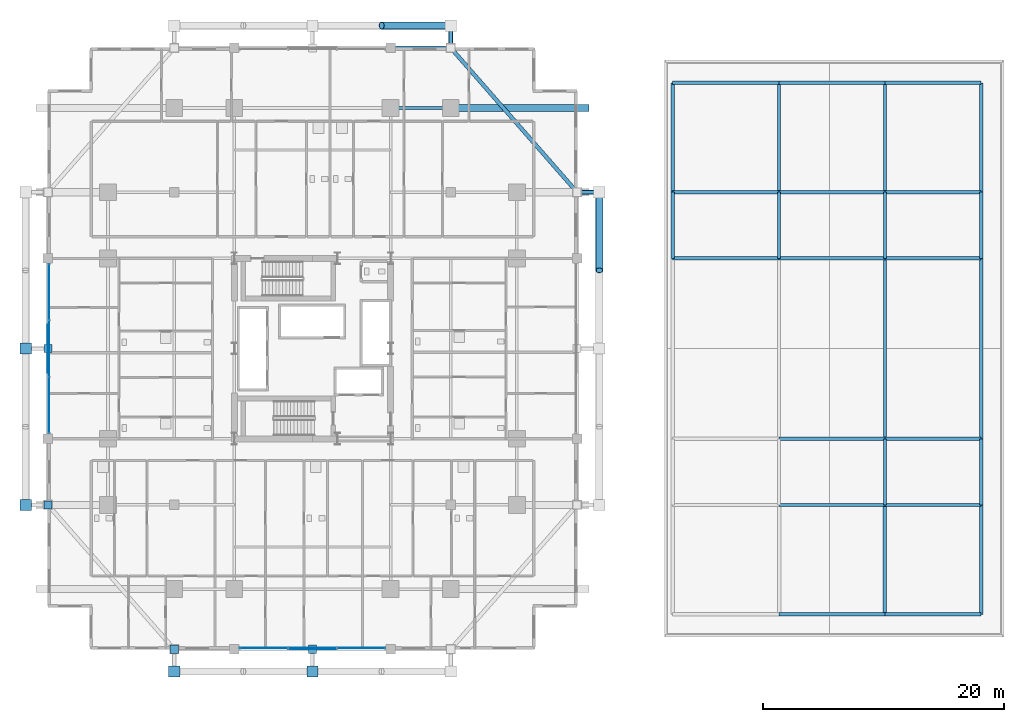
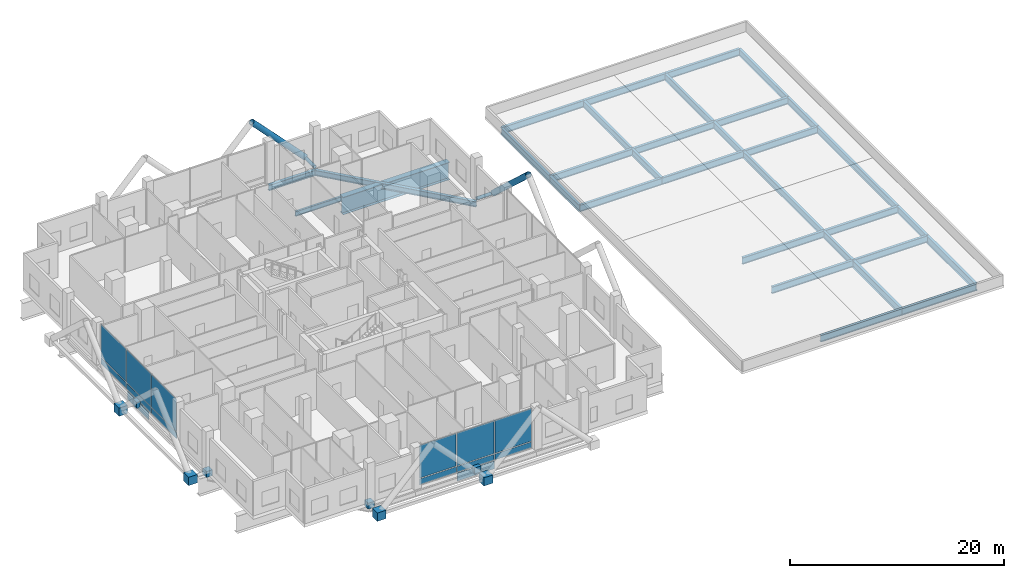
# One storey, part 21 of 33: 33 beams, 22 plates, 4 members, 2 elements without a shape of their own.
"""IFC4 building model written with IfcOpenShell, lengths in metres."""

from ifc_helpers import new_model, si_unit, direction, frame, origin, origin_2d, place, context, subcontext, project, spatial, rectangle, hollow_circle, i_section, extrude, material, layer, layer_set, material_profile, profile_set, type_object, element, aggregate, save


model = new_model("IFC4")

# Units and contexts
model_context = context("Model", 3, precision=1e-05, world=origin(), true_north=direction((0.0, 1.0)))
body_context = subcontext(model_context, "Body", "Model", "MODEL_VIEW")
ifc_project = project(units=[si_unit("LENGTHUNIT", "METRE"), si_unit("AREAUNIT", "SQUARE_METRE"), si_unit("VOLUMEUNIT", "CUBIC_METRE"), si_unit("PLANEANGLEUNIT", "RADIAN"), si_unit("MASSUNIT", "GRAM", prefix="KILO")], contexts=[model_context])

# Site, building, storey
site_placement = place(None, origin())
site = spatial("IfcSite", under=ifc_project, at=site_placement, CompositionType="ELEMENT")
building_placement = place(site_placement, origin())
building = spatial("IfcBuilding", under=site, at=building_placement, Name="Barlavira Tower and Art Museum", CompositionType="ELEMENT")
storey_placement = place(building_placement, frame((0.0, 0.0, 27.60009765625)))
storey = spatial("IfcBuildingStorey", under=building, at=storey_placement, Name="L05", CompositionType="ELEMENT", Elevation=27.60009765625)

# Beams
ifc_material_1 = material(Name="Steel S355", Category="steel")
ifc_material_profile_1 = material_profile(ifc_material_1, i_section(OverallWidth=0.2939453125, OverallDepth=0.85107421875, WebThickness=0.017333984375, FlangeThickness=0.0283203125, at=origin_2d()), Name="W840x251.0")
ifc_profile_set_1 = profile_set([ifc_material_profile_1], Name="Steel S355")
beam_type_1 = type_object("IfcBeamType", Name="Museum Auditorium Heavy Girder W840x251 Steel S355", PredefinedType="BEAM", material=ifc_profile_set_1)
for number, where, z_axis, x_axis, name in (
    (1, (47.60009765625, -22.10009765625, -0.695556640625), (0.0, 1.0, 0.0), (-1.0, 0.0, 0.0), "L05 Museum Girder Y 3-1"),
    (2, (55.60009765625, -22.10009765625, -0.695556640625), (0.0, 1.0, 0.0), (-1.0, 0.0, 0.0), "L05 Museum Girder Y 4-1"),
):
    element("IfcBeam", number, at=place(storey_placement, frame(where, z_axis=z_axis, x_axis=x_axis)), inside=storey, type_object=beam_type_1, Name=name, PredefinedType="BEAM", context=body_context, shape_type="SweptSolid", body=[
        extrude(i_section(OverallWidth=0.2939453125, OverallDepth=0.85107421875, WebThickness=0.017333984375, FlangeThickness=0.0283203125, at=origin_2d()), origin(), (0.0, 0.0, 1.0), 9.10009765625),
    ])
ifc_material_profile_2 = material_profile(ifc_material_1, i_section(OverallWidth=0.26904296875, OverallDepth=0.76806640625, WebThickness=0.016845703125, FlangeThickness=0.026611328125, at=origin_2d()), Name="W760x220.0")
ifc_profile_set_2 = profile_set([ifc_material_profile_2], Name="Steel S355")
beam_type_2 = type_object("IfcBeamType", Name="Museum Long-Span Gallery Girder W760x220 Steel S355", PredefinedType="BEAM", material=ifc_profile_set_2)
beam_1_placement = place(storey_placement, frame((29.949951171875, 7.5, -0.654052734375), z_axis=(0.0, 1.0, 0.0), x_axis=(-1.0, 0.0, 0.0)))
element("IfcBeam", 3, at=beam_1_placement, inside=storey, type_object=beam_type_2, Name="L05 Museum Girder Y 1-4", PredefinedType="BEAM", context=body_context, shape_type="SweptSolid", body=[
    extrude(i_section(OverallWidth=0.26904296875, OverallDepth=0.76806640625, WebThickness=0.016845703125, FlangeThickness=0.026611328125, at=origin_2d()), origin(), (0.0, 0.0, 1.0), 5.5),
])
beam_2_placement = place(storey_placement, frame((29.949951171875, 13.0, -0.654052734375), z_axis=(0.0, 1.0, 0.0), x_axis=(-1.0, 0.0, 0.0)))
element("IfcBeam", 4, at=beam_2_placement, inside=storey, type_object=beam_type_2, Name="L05 Museum Girder Y 1-5", PredefinedType="BEAM", context=body_context, shape_type="SweptSolid", body=[
    extrude(i_section(OverallWidth=0.26904296875, OverallDepth=0.76806640625, WebThickness=0.016845703125, FlangeThickness=0.026611328125, at=origin_2d()), origin(), (0.0, 0.0, 1.0), 9.10009765625),
])
beam_3_placement = place(storey_placement, frame((38.800048828125, 7.5, -0.654052734375), z_axis=(0.0, 1.0, 0.0), x_axis=(-1.0, 0.0, 0.0)))
element("IfcBeam", 5, at=beam_3_placement, inside=storey, type_object=beam_type_2, Name="L05 Museum Girder Y 2-4", PredefinedType="BEAM", context=body_context, shape_type="SweptSolid", body=[
    extrude(i_section(OverallWidth=0.26904296875, OverallDepth=0.76806640625, WebThickness=0.016845703125, FlangeThickness=0.026611328125, at=origin_2d()), origin(), (0.0, 0.0, 1.0), 5.5),
])
beam_4_placement = place(storey_placement, frame((38.800048828125, 13.0, -0.654052734375), z_axis=(0.0, 1.0, 0.0), x_axis=(-1.0, 0.0, 0.0)))
element("IfcBeam", 6, at=beam_4_placement, inside=storey, type_object=beam_type_2, Name="L05 Museum Girder Y 2-5", PredefinedType="BEAM", context=body_context, shape_type="SweptSolid", body=[
    extrude(i_section(OverallWidth=0.26904296875, OverallDepth=0.76806640625, WebThickness=0.016845703125, FlangeThickness=0.026611328125, at=origin_2d()), origin(), (0.0, 0.0, 1.0), 9.10009765625),
])
beam_5_placement = place(storey_placement, frame((47.60009765625, -13.0, -0.654052734375), z_axis=(0.0, 1.0, 0.0), x_axis=(-1.0, 0.0, 0.0)))
element("IfcBeam", 7, at=beam_5_placement, inside=storey, type_object=beam_type_2, Name="L05 Museum Girder Y 3-2", PredefinedType="BEAM", context=body_context, shape_type="SweptSolid", body=[
    extrude(i_section(OverallWidth=0.26904296875, OverallDepth=0.76806640625, WebThickness=0.016845703125, FlangeThickness=0.026611328125, at=origin_2d()), origin(), (0.0, 0.0, 1.0), 5.5),
])
beam_6_placement = place(storey_placement, frame((47.60009765625, -7.5, -0.654052734375), z_axis=(0.0, 1.0, 0.0), x_axis=(-1.0, 0.0, 0.0)))
element("IfcBeam", 8, at=beam_6_placement, inside=storey, type_object=beam_type_2, Name="L05 Museum Girder Y 3-3", PredefinedType="BEAM", context=body_context, shape_type="SweptSolid", body=[
    extrude(i_section(OverallWidth=0.26904296875, OverallDepth=0.76806640625, WebThickness=0.016845703125, FlangeThickness=0.026611328125, at=origin_2d()), origin(), (0.0, 0.0, 1.0), 15.0),
])
beam_7_placement = place(storey_placement, frame((47.60009765625, 7.5, -0.654052734375), z_axis=(0.0, 1.0, 0.0), x_axis=(-1.0, 0.0, 0.0)))
element("IfcBeam", 9, at=beam_7_placement, inside=storey, type_object=beam_type_2, Name="L05 Museum Girder Y 3-4", PredefinedType="BEAM", context=body_context, shape_type="SweptSolid", body=[
    extrude(i_section(OverallWidth=0.26904296875, OverallDepth=0.76806640625, WebThickness=0.016845703125, FlangeThickness=0.026611328125, at=origin_2d()), origin(), (0.0, 0.0, 1.0), 5.5),
])
beam_8_placement = place(storey_placement, frame((47.60009765625, 13.0, -0.654052734375), z_axis=(0.0, 1.0, 0.0), x_axis=(-1.0, 0.0, 0.0)))
element("IfcBeam", 10, at=beam_8_placement, inside=storey, type_object=beam_type_2, Name="L05 Museum Girder Y 3-5", PredefinedType="BEAM", context=body_context, shape_type="SweptSolid", body=[
    extrude(i_section(OverallWidth=0.26904296875, OverallDepth=0.76806640625, WebThickness=0.016845703125, FlangeThickness=0.026611328125, at=origin_2d()), origin(), (0.0, 0.0, 1.0), 9.10009765625),
])
beam_9_placement = place(storey_placement, frame((55.60009765625, -13.0, -0.654052734375), z_axis=(0.0, 1.0, 0.0), x_axis=(-1.0, 0.0, 0.0)))
element("IfcBeam", 11, at=beam_9_placement, inside=storey, type_object=beam_type_2, Name="L05 Museum Girder Y 4-2", PredefinedType="BEAM", context=body_context, shape_type="SweptSolid", body=[
    extrude(i_section(OverallWidth=0.26904296875, OverallDepth=0.76806640625, WebThickness=0.016845703125, FlangeThickness=0.026611328125, at=origin_2d()), origin(), (0.0, 0.0, 1.0), 5.5),
])
beam_10_placement = place(storey_placement, frame((55.60009765625, -7.5, -0.654052734375), z_axis=(0.0, 1.0, 0.0), x_axis=(-1.0, 0.0, 0.0)))
element("IfcBeam", 12, at=beam_10_placement, inside=storey, type_object=beam_type_2, Name="L05 Museum Girder Y 4-3", PredefinedType="BEAM", context=body_context, shape_type="SweptSolid", body=[
    extrude(i_section(OverallWidth=0.26904296875, OverallDepth=0.76806640625, WebThickness=0.016845703125, FlangeThickness=0.026611328125, at=origin_2d()), origin(), (0.0, 0.0, 1.0), 15.0),
])
beam_11_placement = place(storey_placement, frame((55.60009765625, 7.5, -0.654052734375), z_axis=(0.0, 1.0, 0.0), x_axis=(-1.0, 0.0, 0.0)))
element("IfcBeam", 13, at=beam_11_placement, inside=storey, type_object=beam_type_2, Name="L05 Museum Girder Y 4-4", PredefinedType="BEAM", context=body_context, shape_type="SweptSolid", body=[
    extrude(i_section(OverallWidth=0.26904296875, OverallDepth=0.76806640625, WebThickness=0.016845703125, FlangeThickness=0.026611328125, at=origin_2d()), origin(), (0.0, 0.0, 1.0), 5.5),
])
beam_12_placement = place(storey_placement, frame((55.60009765625, 13.0, -0.654052734375), z_axis=(0.0, 1.0, 0.0), x_axis=(-1.0, 0.0, 0.0)))
element("IfcBeam", 14, at=beam_12_placement, inside=storey, type_object=beam_type_2, Name="L05 Museum Girder Y 4-5", PredefinedType="BEAM", context=body_context, shape_type="SweptSolid", body=[
    extrude(i_section(OverallWidth=0.26904296875, OverallDepth=0.76806640625, WebThickness=0.016845703125, FlangeThickness=0.026611328125, at=origin_2d()), origin(), (0.0, 0.0, 1.0), 9.10009765625),
])
beam_13_placement = place(storey_placement, frame((38.800048828125, -22.10009765625, -0.654052734375), z_axis=(1.0, 0.0, 0.0), x_axis=(0.0, 1.0, 0.0)))
element("IfcBeam", 15, at=beam_13_placement, inside=storey, type_object=beam_type_2, Name="L05 Museum Girder X 1-2", PredefinedType="BEAM", context=body_context, shape_type="SweptSolid", body=[
    extrude(i_section(OverallWidth=0.26904296875, OverallDepth=0.76806640625, WebThickness=0.016845703125, FlangeThickness=0.026611328125, at=origin_2d()), origin(), (0.0, 0.0, 1.0), 8.800048828125),
])
beam_14_placement = place(storey_placement, frame((47.60009765625, -22.10009765625, -0.654052734375), z_axis=(1.0, 0.0, 0.0), x_axis=(0.0, 1.0, 0.0)))
element("IfcBeam", 16, at=beam_14_placement, inside=storey, type_object=beam_type_2, Name="L05 Museum Girder X 1-3", PredefinedType="BEAM", context=body_context, shape_type="SweptSolid", body=[
    extrude(i_section(OverallWidth=0.26904296875, OverallDepth=0.76806640625, WebThickness=0.016845703125, FlangeThickness=0.026611328125, at=origin_2d()), origin(), (0.0, 0.0, 1.0), 8.0),
])
beam_15_placement = place(storey_placement, frame((38.800048828125, -13.0, -0.654052734375), z_axis=(1.0, 0.0, 0.0), x_axis=(0.0, 1.0, 0.0)))
element("IfcBeam", 17, at=beam_15_placement, inside=storey, type_object=beam_type_2, Name="L05 Museum Girder X 2-2", PredefinedType="BEAM", context=body_context, shape_type="SweptSolid", body=[
    extrude(i_section(OverallWidth=0.26904296875, OverallDepth=0.76806640625, WebThickness=0.016845703125, FlangeThickness=0.026611328125, at=origin_2d()), origin(), (0.0, 0.0, 1.0), 8.800048828125),
])
beam_16_placement = place(storey_placement, frame((47.60009765625, -13.0, -0.654052734375), z_axis=(1.0, 0.0, 0.0), x_axis=(0.0, 1.0, 0.0)))
element("IfcBeam", 18, at=beam_16_placement, inside=storey, type_object=beam_type_2, Name="L05 Museum Girder X 2-3", PredefinedType="BEAM", context=body_context, shape_type="SweptSolid", body=[
    extrude(i_section(OverallWidth=0.26904296875, OverallDepth=0.76806640625, WebThickness=0.016845703125, FlangeThickness=0.026611328125, at=origin_2d()), origin(), (0.0, 0.0, 1.0), 8.0),
])
beam_17_placement = place(storey_placement, frame((38.800048828125, -7.5, -0.654052734375), z_axis=(1.0, 0.0, 0.0), x_axis=(0.0, 1.0, 0.0)))
element("IfcBeam", 19, at=beam_17_placement, inside=storey, type_object=beam_type_2, Name="L05 Museum Girder X 3-2", PredefinedType="BEAM", context=body_context, shape_type="SweptSolid", body=[
    extrude(i_section(OverallWidth=0.26904296875, OverallDepth=0.76806640625, WebThickness=0.016845703125, FlangeThickness=0.026611328125, at=origin_2d()), origin(), (0.0, 0.0, 1.0), 8.800048828125),
])
beam_18_placement = place(storey_placement, frame((47.60009765625, -7.5, -0.654052734375), z_axis=(1.0, 0.0, 0.0), x_axis=(0.0, 1.0, 0.0)))
element("IfcBeam", 20, at=beam_18_placement, inside=storey, type_object=beam_type_2, Name="L05 Museum Girder X 3-3", PredefinedType="BEAM", context=body_context, shape_type="SweptSolid", body=[
    extrude(i_section(OverallWidth=0.26904296875, OverallDepth=0.76806640625, WebThickness=0.016845703125, FlangeThickness=0.026611328125, at=origin_2d()), origin(), (0.0, 0.0, 1.0), 8.0),
])
beam_19_placement = place(storey_placement, frame((29.949951171875, 7.5, -0.654052734375), z_axis=(1.0, 0.0, 0.0), x_axis=(0.0, 1.0, 0.0)))
element("IfcBeam", 21, at=beam_19_placement, inside=storey, type_object=beam_type_2, Name="L05 Museum Girder X 4-1", PredefinedType="BEAM", context=body_context, shape_type="SweptSolid", body=[
    extrude(i_section(OverallWidth=0.26904296875, OverallDepth=0.76806640625, WebThickness=0.016845703125, FlangeThickness=0.026611328125, at=origin_2d()), origin(), (0.0, 0.0, 1.0), 8.85009765625),
])
beam_20_placement = place(storey_placement, frame((38.800048828125, 7.5, -0.654052734375), z_axis=(1.0, 0.0, 0.0), x_axis=(0.0, 1.0, 0.0)))
element("IfcBeam", 22, at=beam_20_placement, inside=storey, type_object=beam_type_2, Name="L05 Museum Girder X 4-2", PredefinedType="BEAM", context=body_context, shape_type="SweptSolid", body=[
    extrude(i_section(OverallWidth=0.26904296875, OverallDepth=0.76806640625, WebThickness=0.016845703125, FlangeThickness=0.026611328125, at=origin_2d()), origin(), (0.0, 0.0, 1.0), 8.800048828125),
])
beam_21_placement = place(storey_placement, frame((47.60009765625, 7.5, -0.654052734375), z_axis=(1.0, 0.0, 0.0), x_axis=(0.0, 1.0, 0.0)))
element("IfcBeam", 23, at=beam_21_placement, inside=storey, type_object=beam_type_2, Name="L05 Museum Girder X 4-3", PredefinedType="BEAM", context=body_context, shape_type="SweptSolid", body=[
    extrude(i_section(OverallWidth=0.26904296875, OverallDepth=0.76806640625, WebThickness=0.016845703125, FlangeThickness=0.026611328125, at=origin_2d()), origin(), (0.0, 0.0, 1.0), 8.0),
])
beam_22_placement = place(storey_placement, frame((29.949951171875, 13.0, -0.654052734375), z_axis=(1.0, 0.0, 0.0), x_axis=(0.0, 1.0, 0.0)))
element("IfcBeam", 24, at=beam_22_placement, inside=storey, type_object=beam_type_2, Name="L05 Museum Girder X 5-1", PredefinedType="BEAM", context=body_context, shape_type="SweptSolid", body=[
    extrude(i_section(OverallWidth=0.26904296875, OverallDepth=0.76806640625, WebThickness=0.016845703125, FlangeThickness=0.026611328125, at=origin_2d()), origin(), (0.0, 0.0, 1.0), 8.85009765625),
])
beam_23_placement = place(storey_placement, frame((38.800048828125, 13.0, -0.654052734375), z_axis=(1.0, 0.0, 0.0), x_axis=(0.0, 1.0, 0.0)))
element("IfcBeam", 25, at=beam_23_placement, inside=storey, type_object=beam_type_2, Name="L05 Museum Girder X 5-2", PredefinedType="BEAM", context=body_context, shape_type="SweptSolid", body=[
    extrude(i_section(OverallWidth=0.26904296875, OverallDepth=0.76806640625, WebThickness=0.016845703125, FlangeThickness=0.026611328125, at=origin_2d()), origin(), (0.0, 0.0, 1.0), 8.800048828125),
])
beam_24_placement = place(storey_placement, frame((47.60009765625, 13.0, -0.654052734375), z_axis=(1.0, 0.0, 0.0), x_axis=(0.0, 1.0, 0.0)))
element("IfcBeam", 26, at=beam_24_placement, inside=storey, type_object=beam_type_2, Name="L05 Museum Girder X 5-3", PredefinedType="BEAM", context=body_context, shape_type="SweptSolid", body=[
    extrude(i_section(OverallWidth=0.26904296875, OverallDepth=0.76806640625, WebThickness=0.016845703125, FlangeThickness=0.026611328125, at=origin_2d()), origin(), (0.0, 0.0, 1.0), 8.0),
])
beam_25_placement = place(storey_placement, frame((29.949951171875, 22.10009765625, -0.654052734375), z_axis=(1.0, 0.0, 0.0), x_axis=(0.0, 1.0, 0.0)))
element("IfcBeam", 27, at=beam_25_placement, inside=storey, type_object=beam_type_2, Name="L05 Museum Girder X 6-1", PredefinedType="BEAM", context=body_context, shape_type="SweptSolid", body=[
    extrude(i_section(OverallWidth=0.26904296875, OverallDepth=0.76806640625, WebThickness=0.016845703125, FlangeThickness=0.026611328125, at=origin_2d()), origin(), (0.0, 0.0, 1.0), 8.85009765625),
])
beam_26_placement = place(storey_placement, frame((38.800048828125, 22.10009765625, -0.654052734375), z_axis=(1.0, 0.0, 0.0), x_axis=(0.0, 1.0, 0.0)))
element("IfcBeam", 28, at=beam_26_placement, inside=storey, type_object=beam_type_2, Name="L05 Museum Girder X 6-2", PredefinedType="BEAM", context=body_context, shape_type="SweptSolid", body=[
    extrude(i_section(OverallWidth=0.26904296875, OverallDepth=0.76806640625, WebThickness=0.016845703125, FlangeThickness=0.026611328125, at=origin_2d()), origin(), (0.0, 0.0, 1.0), 8.800048828125),
])
beam_27_placement = place(storey_placement, frame((47.60009765625, 22.10009765625, -0.654052734375), z_axis=(1.0, 0.0, 0.0), x_axis=(0.0, 1.0, 0.0)))
element("IfcBeam", 29, at=beam_27_placement, inside=storey, type_object=beam_type_2, Name="L05 Museum Girder X 6-3", PredefinedType="BEAM", context=body_context, shape_type="SweptSolid", body=[
    extrude(i_section(OverallWidth=0.26904296875, OverallDepth=0.76806640625, WebThickness=0.016845703125, FlangeThickness=0.026611328125, at=origin_2d()), origin(), (0.0, 0.0, 1.0), 8.0),
])

# Members
ifc_material_profile_3 = material_profile(ifc_material_1, hollow_circle(Radius=0.304931640625, WallThickness=0.028076171875, at=origin_2d()), Name="CHS 610.0x28.0")
ifc_profile_set_3 = profile_set([ifc_material_profile_3], Name="Steel S355")
member_type_1 = type_object("IfcMemberType", Name="Pale-Metal Exoskeleton Diagrid Tube CHS 610x28 Steel S355", PredefinedType="BRACE", material=ifc_profile_set_3)
member_1_placement = place(storey_placement, frame((11.5, 26.85009765625, -0.1201171875), z_axis=(-0.691905363236, 0.0, 0.721988205115), x_axis=(0.0, -1.0, 0.0)))
element("IfcMember", 30, at=member_1_placement, inside=storey, type_object=member_type_1, Name="L05 Exoskeleton Diagrid Tube N", PredefinedType="BRACE", context=body_context, shape_type="SweptSolid", body=[
    extrude(hollow_circle(Radius=0.304931640625, WallThickness=0.028076171875, at=origin_2d()), origin(), (0.0, 0.0, 1.0), 8.310302734375),
])
member_2_placement = place(storey_placement, frame((23.85009765625, 13.0, -0.1201171875), z_axis=(0.0, -0.734803444627, 0.678280102733), x_axis=(1.0, 0.0, 0.0)))
element("IfcMember", 31, at=member_2_placement, inside=storey, type_object=member_type_1, Name="L05 Exoskeleton Diagrid Tube E", PredefinedType="BRACE", context=body_context, shape_type="SweptSolid", body=[
    extrude(hollow_circle(Radius=0.304931640625, WallThickness=0.028076171875, at=origin_2d()), origin(), (0.0, 0.0, 1.0), 8.845947265625),
])
ifc_material_profile_4 = material_profile(ifc_material_1, hollow_circle(Radius=0.177734375, WallThickness=0.01611328125, at=origin_2d()), Name="CHS 355.6x16.0")
ifc_profile_set_4 = profile_set([ifc_material_profile_4], Name="Steel S355")
member_type_2 = type_object("IfcMemberType", Name="Pale-Metal Exoskeleton Tie Strut CHS 356x16 Steel S355", PredefinedType="STRUT", material=ifc_profile_set_4)
for number, where, z_axis, x_axis, name in (
    (32, (11.5, 26.85009765625, -0.1201171875), (0.0, -1.0, 0.0), (1.0, 0.0, 0.0), "L05 Exoskeleton Tie Strut N3"),
    (33, (23.85009765625, 13.0, -0.1201171875), (-1.0, 0.0, 0.0), (0.0, -1.0, 0.0), "L05 Exoskeleton Tie Strut E3"),
):
    element("IfcMember", number, at=place(storey_placement, frame(where, z_axis=z_axis, x_axis=x_axis)), inside=storey, type_object=member_type_2, Name=name, PredefinedType="STRUT", context=body_context, shape_type="SweptSolid", body=[
        extrude(hollow_circle(Radius=0.177734375, WallThickness=0.01611328125, at=origin_2d()), origin(), (0.0, 0.0, 1.0), 1.85009765625),
    ])

# Beams
ifc_material_profile_5 = material_profile(ifc_material_1, i_section(OverallWidth=0.327880859375, OverallDepth=0.62890625, WebThickness=0.013916015625, FlangeThickness=0.021484375, at=origin_2d()), Name="W610x174.0")
ifc_profile_set_5 = profile_set([ifc_material_profile_5], Name="Steel S355")
beam_type_3 = type_object("IfcBeamType", Name="Perimeter Spandrel Edge Beam W610x174 Steel S355", PredefinedType="SPANDREL", material=ifc_profile_set_5)
beam_28_placement = place(storey_placement, frame((22.0, 13.0, -0.714599609375), z_axis=(-0.658504607869, 0.752576694707, 0.0), x_axis=(-0.752576694707, -0.658504607869, 0.0)))
element("IfcBeam", 34, at=beam_28_placement, inside=storey, type_object=beam_type_3, Name="L05 Spandrel 8", PredefinedType="SPANDREL", context=body_context, shape_type="SweptSolid", body=[
    extrude(i_section(OverallWidth=0.327880859375, OverallDepth=0.62890625, WebThickness=0.013916015625, FlangeThickness=0.021484375, at=origin_2d()), origin(), (0.0, 0.0, 1.0), 15.9453125),
])
beam_29_placement = place(storey_placement, frame((6.5, 25.0, -0.714599609375), z_axis=(1.0, 0.0, 0.0), x_axis=(0.0, 1.0, 0.0)))
element("IfcBeam", 35, at=beam_29_placement, inside=storey, type_object=beam_type_3, Name="L05 Spandrel 9", PredefinedType="SPANDREL", context=body_context, shape_type="SweptSolid", body=[
    extrude(i_section(OverallWidth=0.327880859375, OverallDepth=0.62890625, WebThickness=0.013916015625, FlangeThickness=0.021484375, at=origin_2d()), origin(), (0.0, 0.0, 1.0), 5.0),
])
ifc_material_profile_6 = material_profile(ifc_material_1, i_section(OverallWidth=0.60009765625, OverallDepth=2.0, WebThickness=0.028076171875, FlangeThickness=0.034912109375, at=origin_2d()), Name="CVS2000x580")
ifc_profile_set_6 = profile_set([ifc_material_profile_6], Name="Steel S355")
beam_type_4 = type_object("IfcBeamType", Name="Podium Top Transfer Girder CVS2000x580 Steel S355", PredefinedType="USERDEFINED", material=ifc_profile_set_6)
beam_30_placement = place(storey_placement, frame((11.5, 20.0, -1.400146484375), z_axis=(1.0, 0.0, 0.0), x_axis=(0.0, 1.0, 0.0)))
element("IfcBeam", 36, at=beam_30_placement, inside=storey, type_object=beam_type_4, Name="L05 Transfer Girder TG05-04", ObjectType="TRANSFER GIRDER", PredefinedType="USERDEFINED", context=body_context, shape_type="SweptSolid", body=[
    extrude(i_section(OverallWidth=0.60009765625, OverallDepth=2.0, WebThickness=0.028076171875, FlangeThickness=0.034912109375, at=origin_2d()), origin(), (0.0, 0.0, 1.0), 11.5),
])
ifc_material_profile_7 = material_profile(ifc_material_1, i_section(OverallWidth=0.214111328125, OverallDepth=0.549072265625, WebThickness=0.0146484375, FlangeThickness=0.023681640625, at=origin_2d()), Name="W530x138.0")
ifc_profile_set_7 = profile_set([ifc_material_profile_7], Name="Steel S355")
beam_type_5 = type_object("IfcBeamType", Name="Zone 1 Primary Floor Girder W530x138 Steel S355", PredefinedType="BEAM", material=ifc_profile_set_7)
beam_31_placement = place(storey_placement, frame((6.5, 20.0, -0.674560546875), z_axis=(1.0, 0.0, 0.0), x_axis=(0.0, 1.0, 0.0)))
element("IfcBeam", 37, at=beam_31_placement, inside=storey, type_object=beam_type_5, Name="L05 Girder M-N3", PredefinedType="BEAM", context=body_context, shape_type="SweptSolid", body=[
    extrude(i_section(OverallWidth=0.214111328125, OverallDepth=0.549072265625, WebThickness=0.0146484375, FlangeThickness=0.023681640625, at=origin_2d()), origin(), (0.0, 0.0, 1.0), 5.0),
])

# Curtain wall, plates
ifc_material_2 = material(Name="Low-iron coastal laminated glass", Category="glass")
ifc_layer_1 = layer(ifc_material_2, 0.179931640625, Name="Low-iron coastal laminated glass")
ifc_layer_set_1 = layer_set([ifc_layer_1], Name="Low-iron coastal laminated glass")
curtain_wall_type = type_object("IfcCurtainWallType", Name="Pale-Metal Unitised Curtain Wall Zone 1", PredefinedType="NOTDEFINED", material=ifc_layer_set_1)
curtain_wall_1_placement = place(storey_placement, origin())
curtain_wall_1 = element("IfcCurtainWall", 38, at=curtain_wall_1_placement, inside=storey, type_object=curtain_wall_type, Name="L05 Curtain Wall CW1-L05-S-B3", PredefinedType="NOTDEFINED")
ifc_material_3 = material(Name="Pale anodised aluminium", Category="aluminium")
ifc_layer_2 = layer(ifc_material_3, 0.044921875, Name="Pale anodised aluminium")
ifc_layer_set_2 = layer_set([ifc_layer_2], Name="Pale anodised aluminium")
plate_type_1 = type_object("IfcPlateType", Name="Curtain Wall Pale-Metal Spandrel Panel 45", PredefinedType="CURTAIN_PANEL", material=ifc_layer_set_2)
plate_1_placement = place(storey_placement, frame((-4.05322265625, -24.89990234375, 0.0400390625), z_axis=(0.0, 0.0, 1.0), x_axis=(1.0, 0.0, 0.0)))
plate_1 = element("IfcPlate", 39, at=plate_1_placement, type_object=plate_type_1, Name="CW1-L05-S-B3 Spandrel Panel 0", PredefinedType="CURTAIN_PANEL", context=body_context, shape_type="SweptSolid", body=[
    extrude(rectangle(XDim=3.953369140625, YDim=0.044921875, at=origin_2d()), origin(), (0.0, 0.0, 1.0), 0.669921875),
])
plate_2_placement = place(storey_placement, frame((0.0, -24.89990234375, 0.0400390625), z_axis=(0.0, 0.0, 1.0), x_axis=(1.0, 0.0, 0.0)))
plate_2 = element("IfcPlate", 40, at=plate_2_placement, type_object=plate_type_1, Name="CW1-L05-S-B3 Spandrel Panel 1", PredefinedType="CURTAIN_PANEL", context=body_context, shape_type="SweptSolid", body=[
    extrude(rectangle(XDim=3.953369140625, YDim=0.044921875, at=origin_2d()), origin(), (0.0, 0.0, 1.0), 0.669921875),
])
plate_3_placement = place(storey_placement, frame((4.05322265625, -24.89990234375, 0.0400390625), z_axis=(0.0, 0.0, 1.0), x_axis=(1.0, 0.0, 0.0)))
plate_3 = element("IfcPlate", 41, at=plate_3_placement, type_object=plate_type_1, Name="CW1-L05-S-B3 Spandrel Panel 2", PredefinedType="CURTAIN_PANEL", context=body_context, shape_type="SweptSolid", body=[
    extrude(rectangle(XDim=3.953369140625, YDim=0.044921875, at=origin_2d()), origin(), (0.0, 0.0, 1.0), 0.669921875),
])

curtain_wall_2_placement = place(storey_placement, origin())
curtain_wall_2 = element("IfcCurtainWall", 42, at=curtain_wall_2_placement, inside=storey, type_object=curtain_wall_type, Name="L05 Curtain Wall CW1-L05-W-B3", PredefinedType="NOTDEFINED")
plate_4_placement = place(storey_placement, frame((-21.89990234375, 4.719970703125, 0.0400390625), z_axis=(0.0, 0.0, 1.0), x_axis=(0.0, -1.0, 0.0)))
plate_4 = element("IfcPlate", 43, at=plate_4_placement, type_object=plate_type_1, Name="CW1-L05-W-B3 Spandrel Panel 0", PredefinedType="CURTAIN_PANEL", context=body_context, shape_type="SweptSolid", body=[
    extrude(rectangle(XDim=4.6201171875, YDim=0.044921875, at=origin_2d()), origin(), (0.0, 0.0, 1.0), 0.669921875),
])
plate_5_placement = place(storey_placement, frame((-21.89990234375, 0.0, 0.0400390625), z_axis=(0.0, 0.0, 1.0), x_axis=(0.0, -1.0, 0.0)))
plate_5 = element("IfcPlate", 44, at=plate_5_placement, type_object=plate_type_1, Name="CW1-L05-W-B3 Spandrel Panel 1", PredefinedType="CURTAIN_PANEL", context=body_context, shape_type="SweptSolid", body=[
    extrude(rectangle(XDim=4.6201171875, YDim=0.044921875, at=origin_2d()), origin(), (0.0, 0.0, 1.0), 0.669921875),
])
plate_6_placement = place(storey_placement, frame((-21.89990234375, -4.719970703125, 0.0400390625), z_axis=(0.0, 0.0, 1.0), x_axis=(0.0, -1.0, 0.0)))
plate_6 = element("IfcPlate", 45, at=plate_6_placement, type_object=plate_type_1, Name="CW1-L05-W-B3 Spandrel Panel 2", PredefinedType="CURTAIN_PANEL", context=body_context, shape_type="SweptSolid", body=[
    extrude(rectangle(XDim=4.6201171875, YDim=0.044921875, at=origin_2d()), origin(), (0.0, 0.0, 1.0), 0.669921875),
])

# Plate
ifc_layer_3 = layer(ifc_material_2, 0.028076171875, Name="Low-iron coastal laminated glass")
ifc_layer_set_3 = layer_set([ifc_layer_3], Name="Low-iron coastal laminated glass")
plate_type_2 = type_object("IfcPlateType", Name="Curtain Wall Vision Glazing Panel 28", PredefinedType="CURTAIN_PANEL", material=ifc_layer_set_3)
plate_7_placement = place(storey_placement, frame((-4.05322265625, -24.89990234375, 0.789794921875), z_axis=(0.0, 0.0, 1.0), x_axis=(1.0, 0.0, 0.0)))
plate_7 = element("IfcPlate", 46, at=plate_7_placement, type_object=plate_type_2, Name="CW1-L05-S-B3 Vision Glass Panel 0", PredefinedType="CURTAIN_PANEL", context=body_context, shape_type="SweptSolid", body=[
    extrude(rectangle(XDim=3.953369140625, YDim=0.028076171875, at=origin_2d()), origin(), (0.0, 0.0, 1.0), 3.75),
])

plate_8_placement = place(storey_placement, frame((0.0, -24.89990234375, 0.789794921875), z_axis=(0.0, 0.0, 1.0), x_axis=(1.0, 0.0, 0.0)))
plate_8 = element("IfcPlate", 47, at=plate_8_placement, type_object=plate_type_2, Name="CW1-L05-S-B3 Vision Glass Panel 1", PredefinedType="CURTAIN_PANEL", context=body_context, shape_type="SweptSolid", body=[
    extrude(rectangle(XDim=3.953369140625, YDim=0.028076171875, at=origin_2d()), origin(), (0.0, 0.0, 1.0), 3.75),
])

plate_9_placement = place(storey_placement, frame((4.05322265625, -24.89990234375, 0.789794921875), z_axis=(0.0, 0.0, 1.0), x_axis=(1.0, 0.0, 0.0)))
plate_9 = element("IfcPlate", 48, at=plate_9_placement, type_object=plate_type_2, Name="CW1-L05-S-B3 Vision Glass Panel 2", PredefinedType="CURTAIN_PANEL", context=body_context, shape_type="SweptSolid", body=[
    extrude(rectangle(XDim=3.953369140625, YDim=0.028076171875, at=origin_2d()), origin(), (0.0, 0.0, 1.0), 3.75),
])

aggregate(curtain_wall_1, [plate_1, plate_7, plate_2, plate_8, plate_3, plate_9])

plate_10_placement = place(storey_placement, frame((-21.89990234375, 4.719970703125, 0.789794921875), z_axis=(0.0, 0.0, 1.0), x_axis=(0.0, -1.0, 0.0)))
plate_10 = element("IfcPlate", 49, at=plate_10_placement, type_object=plate_type_2, Name="CW1-L05-W-B3 Vision Glass Panel 0", PredefinedType="CURTAIN_PANEL", context=body_context, shape_type="SweptSolid", body=[
    extrude(rectangle(XDim=4.6201171875, YDim=0.028076171875, at=origin_2d()), origin(), (0.0, 0.0, 1.0), 3.75),
])

plate_11_placement = place(storey_placement, frame((-21.89990234375, 0.0, 0.789794921875), z_axis=(0.0, 0.0, 1.0), x_axis=(0.0, -1.0, 0.0)))
plate_11 = element("IfcPlate", 50, at=plate_11_placement, type_object=plate_type_2, Name="CW1-L05-W-B3 Vision Glass Panel 1", PredefinedType="CURTAIN_PANEL", context=body_context, shape_type="SweptSolid", body=[
    extrude(rectangle(XDim=4.6201171875, YDim=0.028076171875, at=origin_2d()), origin(), (0.0, 0.0, 1.0), 3.75),
])

plate_12_placement = place(storey_placement, frame((-21.89990234375, -4.719970703125, 0.789794921875), z_axis=(0.0, 0.0, 1.0), x_axis=(0.0, -1.0, 0.0)))
plate_12 = element("IfcPlate", 51, at=plate_12_placement, type_object=plate_type_2, Name="CW1-L05-W-B3 Vision Glass Panel 2", PredefinedType="CURTAIN_PANEL", context=body_context, shape_type="SweptSolid", body=[
    extrude(rectangle(XDim=4.6201171875, YDim=0.028076171875, at=origin_2d()), origin(), (0.0, 0.0, 1.0), 3.75),
])

aggregate(curtain_wall_2, [plate_4, plate_10, plate_5, plate_11, plate_6, plate_12])

# Plates
ifc_layer_4 = layer(ifc_material_1, 0.93994140625, Name="Steel S355")
ifc_layer_set_4 = layer_set([ifc_layer_4], Name="Steel S355")
plate_type_3 = type_object("IfcPlateType", Name="Exoskeleton Solid Steel Node Cap Plate Assembly Type 1 Steel S355", PredefinedType="USERDEFINED", material=ifc_layer_set_4)
for number, where, z_axis, x_axis, name in (
    (52, (-11.5, -26.85009765625, -0.590087890625), (0.0, 0.0, 1.0), (1.0, 0.0, 0.0), "Exoskeleton Node S ND-L05-0001"),
    (53, (0.0, -26.85009765625, -0.590087890625), (0.0, 0.0, 1.0), (1.0, 0.0, 0.0), "Exoskeleton Node S ND-L05-0002"),
    (54, (-23.85009765625, -13.0, -0.590087890625), (0.0, 0.0, 1.0), (1.0, 0.0, 0.0), "Exoskeleton Node W ND-L05-0023"),
    (55, (-23.85009765625, 0.0, -0.590087890625), (0.0, 0.0, 1.0), (1.0, 0.0, 0.0), "Exoskeleton Node W ND-L05-0024"),
):
    element("IfcPlate", number, at=place(storey_placement, frame(where, z_axis=z_axis, x_axis=x_axis)), inside=storey, type_object=plate_type_3, Name=name, ObjectType="FLANGE_PLATE", PredefinedType="USERDEFINED", context=body_context, shape_type="SweptSolid", body=[
        extrude(rectangle(XDim=0.93994140625, YDim=0.93994140625, at=origin_2d()), origin(), (0.0, 0.0, 1.0), 0.93994140625),
    ])
ifc_layer_5 = layer(ifc_material_1, 0.679931640625, Name="Steel S355")
ifc_layer_set_5 = layer_set([ifc_layer_5], Name="Steel S355")
plate_type_4 = type_object("IfcPlateType", Name="Exoskeleton Tie-Back Solid Cap Plate Assembly Type 5 Steel S355", PredefinedType="USERDEFINED", material=ifc_layer_set_5)
for number, where, z_axis, x_axis, name in (
    (56, (-11.5, -25.0, -0.4599609375), (0.0, 0.0, 1.0), (1.0, 0.0, 0.0), "Slab Edge Tie Cap Plate S1 ND-L05-0009"),
    (57, (0.0, -25.0, -0.4599609375), (0.0, 0.0, 1.0), (1.0, 0.0, 0.0), "Slab Edge Tie Cap Plate S2 ND-L05-0010"),
    (58, (-22.0, -13.0, -0.4599609375), (0.0, 0.0, 1.0), (1.0, 0.0, 0.0), "Slab Edge Tie Cap Plate W1 ND-L05-0031"),
    (59, (-22.0, 0.0, -0.4599609375), (0.0, 0.0, 1.0), (1.0, 0.0, 0.0), "Slab Edge Tie Cap Plate W2 ND-L05-0032"),
):
    element("IfcPlate", number, at=place(storey_placement, frame(where, z_axis=z_axis, x_axis=x_axis)), inside=storey, type_object=plate_type_4, Name=name, ObjectType="FLANGE_PLATE", PredefinedType="USERDEFINED", context=body_context, shape_type="SweptSolid", body=[
        extrude(rectangle(XDim=0.679931640625, YDim=0.679931640625, at=origin_2d()), origin(), (0.0, 0.0, 1.0), 0.679931640625),
    ])
ifc_material_4 = material(Name="Pale anodised steel S355", Category="steel")
ifc_layer_6 = layer(ifc_material_4, 0.89990234375, Name="Pale anodised steel S355")
ifc_layer_set_6 = layer_set([ifc_layer_6], Name="Pale anodised steel S355")
plate_type_5 = type_object("IfcPlateType", Name="Pale-Metal Architectural Fascia Sheet Plate 25 Steel S355", PredefinedType="SHEET", material=ifc_layer_set_6)
for number, where, z_axis, x_axis, name in (
    (60, (0.0, -24.97998046875, -0.900146484375), (0.0, 0.0, 1.0), (1.0, 0.0, 0.0), "L05 Pale-Metal Fascia Sheet Plate 1"),
    (61, (-21.97998046875, 0.0, -0.900146484375), (0.0, 0.0, 1.0), (0.0, 1.0, 0.0), "L05 Pale-Metal Fascia Sheet Plate 3"),
):
    element("IfcPlate", number, at=place(storey_placement, frame(where, z_axis=z_axis, x_axis=x_axis)), inside=storey, type_object=plate_type_5, Name=name, PredefinedType="SHEET", context=body_context, shape_type="SweptSolid", body=[
        extrude(rectangle(XDim=4.0, YDim=0.02490234375, at=origin_2d()), origin(), (0.0, 0.0, 1.0), 0.89990234375),
    ])

save(model, "model.ifc")
